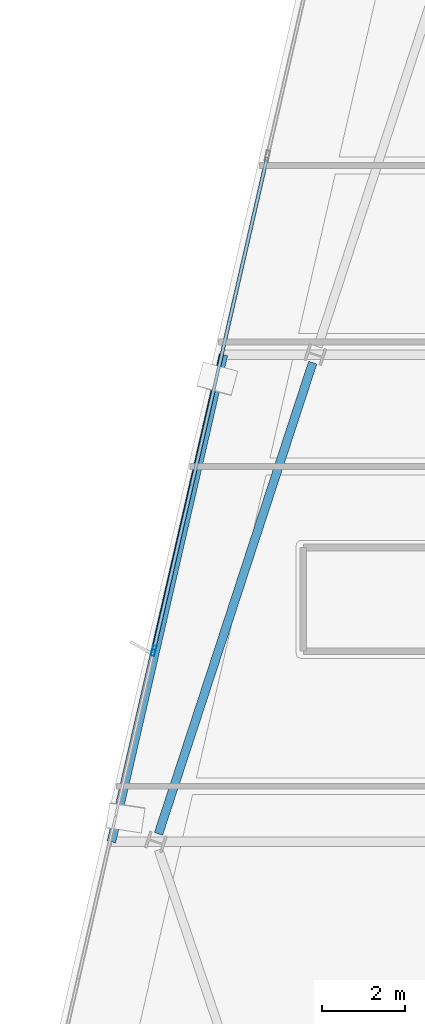
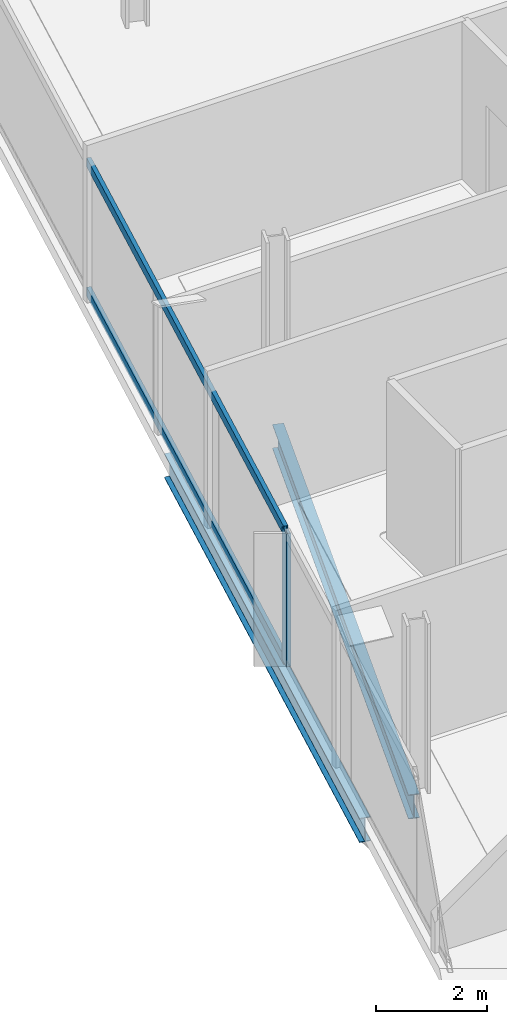
# One storey, part 6 of 28: 3 members, 2 beams, 1 element without a shape of its own.
"""IFC4 building model written with IfcOpenShell, lengths in metres."""

from ifc_helpers import new_model, si_unit, direction, frame, origin, origin_2d, place, context, subcontext, project, spatial, hollow_rectangle, i_section, extrude, material, material_profile, profile_set, type_object, element, aggregate, save


model = new_model("IFC4")

# Units and contexts
model_context = context("Model", 3, precision=1e-05, world=origin(), true_north=direction((0.0, 1.0)))
body_context = subcontext(model_context, "Body", "Model", "MODEL_VIEW")
ifc_project = project(units=[si_unit("LENGTHUNIT", "METRE"), si_unit("AREAUNIT", "SQUARE_METRE"), si_unit("VOLUMEUNIT", "CUBIC_METRE"), si_unit("PLANEANGLEUNIT", "RADIAN"), si_unit("MASSUNIT", "GRAM", prefix="KILO")], contexts=[model_context])

# Site, building, storey
site_placement = place(None, origin())
site = spatial("IfcSite", under=ifc_project, at=site_placement, CompositionType="ELEMENT")
building_placement = place(site_placement, origin())
building = spatial("IfcBuilding", under=site, at=building_placement, Name="Haldenkirk Collegiate Tower", CompositionType="ELEMENT")
storey_placement = place(building_placement, frame((0.0, 0.0, 286.199951171875)))
storey = spatial("IfcBuildingStorey", under=building, at=storey_placement, Name="L72", CompositionType="ELEMENT", Elevation=286.199951171875)

# Beams
ifc_material_1 = material(Name="Steel ASTM A992 Grade 50", Category="steel")
ifc_material_profile_1 = material_profile(ifc_material_1, i_section(OverallWidth=0.2099609375, OverallDepth=0.537109375, WebThickness=0.010986328125, FlangeThickness=0.017333984375, at=origin_2d()), Name="W21X68")
ifc_profile_set_1 = profile_set([ifc_material_profile_1], Name="Steel ASTM A992 Grade 50")
beam_type = type_object("IfcBeamType", Name="BM-SPANDREL-W21X68", PredefinedType="SPANDREL", material=ifc_profile_set_1)
beam_1_placement = place(storey_placement, frame((17.9267578125, 31.701171875, -0.538330078125), z_axis=(-0.311010188249, -0.950406577631, 0.0), x_axis=(0.950406577631, -0.311010188249, 0.0)))
element("IfcBeam", 1, at=beam_1_placement, inside=storey, type_object=beam_type, Name="L72 perimeter spandrel beam 11", PredefinedType="SPANDREL", context=body_context, shape_type="SweptSolid", body=[
    extrude(i_section(OverallWidth=0.2099609375, OverallDepth=0.537109375, WebThickness=0.010986328125, FlangeThickness=0.017333984375, at=origin_2d()), origin(), (0.0, 0.0, 1.0), 11.94287109375),
])
beam_2_placement = place(storey_placement, frame((15.7763671875, 31.8935546875, -0.538330078125), z_axis=(-0.224092428629, -0.974567895752, 0.0), x_axis=(0.974567895752, -0.224092428629, 0.0)))
element("IfcBeam", 2, at=beam_2_placement, inside=storey, type_object=beam_type, Name="L72 outer facade edge beam 3", PredefinedType="SPANDREL", context=body_context, shape_type="SweptSolid", body=[
    extrude(i_section(OverallWidth=0.2099609375, OverallDepth=0.537109375, WebThickness=0.010986328125, FlangeThickness=0.017333984375, at=origin_2d()), origin(), (0.0, 0.0, 1.0), 12.041748046875),
])

# Curtain wall, members
ifc_material_2 = material(Name="Anodised architectural bronze aluminium", Category="aluminium")
curtain_wall_type = type_object("IfcCurtainWallType", Name="CW-SYS1B-CONVEX-HI", PredefinedType="USERDEFINED", material=ifc_material_2)
curtain_wall_placement = place(storey_placement, origin())
curtain_wall = element("IfcCurtainWall", 3, at=curtain_wall_placement, inside=storey, type_object=curtain_wall_type, Name="L72 Upper tower high-wind convex bronze unitised curtain wall", ObjectType="UNITISED CURTAIN WALL", PredefinedType="USERDEFINED")
ifc_material_profile_2 = material_profile(ifc_material_2, hollow_rectangle(XDim=0.0849609375, YDim=0.25, WallThickness=0.0048828125, at=origin_2d()), Name="CW-MUL-1B")
ifc_profile_set_2 = profile_set([ifc_material_profile_2], Name="Anodised architectural bronze aluminium")
member_type_1 = type_object("IfcMemberType", Name="CW-MUL-1B", PredefinedType="MULLION", material=ifc_profile_set_2)
member_1_placement = place(storey_placement, frame((14.09521484375, 24.7607421875, 0.0), z_axis=(0.0, 0.0, 1.0), x_axis=(-0.974566006497, 0.224100644756, 0.0)))
member_1 = element("IfcMember", 4, at=member_1_placement, type_object=member_type_1, Name="CW-1B mullion 2", PredefinedType="MULLION", context=body_context, shape_type="SweptSolid", body=[
    extrude(hollow_rectangle(XDim=0.0849609375, YDim=0.25, WallThickness=0.0048828125, at=origin_2d()), origin(), (0.0, 0.0, 1.0), 2.93798828125),
])
ifc_material_profile_3 = material_profile(ifc_material_2, hollow_rectangle(XDim=0.0849609375, YDim=0.199951171875, WallThickness=0.0048828125, at=origin_2d()), Name="CW-TRN-1B")
ifc_profile_set_3 = profile_set([ifc_material_profile_3], Name="Anodised architectural bronze aluminium")
member_type_2 = type_object("IfcMemberType", Name="CW-TRN-1B", PredefinedType="USERDEFINED", material=ifc_profile_set_3)
member_2_placement = place(storey_placement, frame((14.104736328125, 24.802001953125, 0.04248046875), z_axis=(0.224093295844, 0.974567696344, 0.0), x_axis=(-0.974567696344, 0.224093295844, 0.0)))
member_2 = element("IfcMember", 5, at=member_2_placement, type_object=member_type_2, Name="CW-1B transom 2.1", ObjectType="TRANSOM", PredefinedType="USERDEFINED", context=body_context, shape_type="SweptSolid", body=[
    extrude(hollow_rectangle(XDim=0.0849609375, YDim=0.199951171875, WallThickness=0.0048828125, at=origin_2d()), origin(), (0.0, 0.0, 1.0), 12.148681640625),
])
member_3_placement = place(storey_placement, frame((14.104736328125, 24.802001953125, 2.8955078125), z_axis=(0.224093295844, 0.974567696344, 0.0), x_axis=(-0.974567696344, 0.224093295844, 0.0)))
member_3 = element("IfcMember", 6, at=member_3_placement, type_object=member_type_2, Name="CW-1B transom 2.2", ObjectType="TRANSOM", PredefinedType="USERDEFINED", context=body_context, shape_type="SweptSolid", body=[
    extrude(hollow_rectangle(XDim=0.0849609375, YDim=0.199951171875, WallThickness=0.0048828125, at=origin_2d()), origin(), (0.0, 0.0, 1.0), 12.148681640625),
])
aggregate(curtain_wall, [member_1, member_2, member_3])

save(model, "model.ifc")
